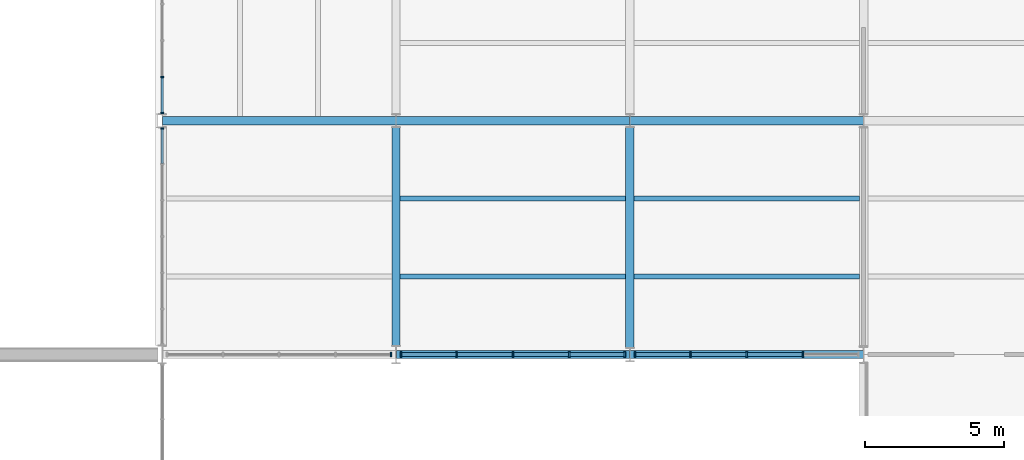
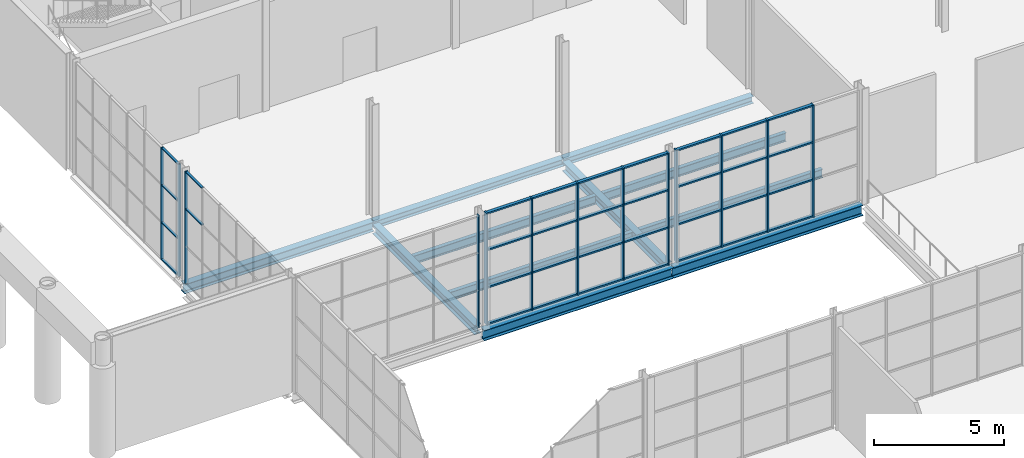
# One storey, part 18 of 64: 47 members, 11 beams, 5 elements without a shape of their own.
"""IFC4 building model written with IfcOpenShell, lengths in metres."""

from ifc_helpers import new_model, si_unit, direction, frame, origin, origin_2d, place, context, subcontext, project, spatial, rectangle, i_section, extrude, material, layer, layer_set, material_profile, profile_set, type_object, element, aggregate, save


model = new_model("IFC4")

# Units and contexts
model_context = context("Model", 3, precision=1e-05, world=origin(), true_north=direction((0.0, 1.0)))
body_context = subcontext(model_context, "Body", "Model", "MODEL_VIEW")
ifc_project = project(units=[si_unit("LENGTHUNIT", "METRE"), si_unit("AREAUNIT", "SQUARE_METRE"), si_unit("VOLUMEUNIT", "CUBIC_METRE"), si_unit("PLANEANGLEUNIT", "RADIAN"), si_unit("MASSUNIT", "GRAM", prefix="KILO")], contexts=[model_context])

# Site, building, storey
site_placement = place(None, origin())
site = spatial("IfcSite", under=ifc_project, at=site_placement, CompositionType="ELEMENT")
building_placement = place(site_placement, origin())
building = spatial("IfcBuilding", under=site, at=building_placement, Name="Galleria Vessillo Department Store", CompositionType="ELEMENT")
storey_placement = place(building_placement, frame((0.0, 0.0, 6.0)))
storey = spatial("IfcBuildingStorey", under=building, at=storey_placement, Name="L01", CompositionType="ELEMENT", Elevation=6.0)

# Curtain wall, member
ifc_material_1 = material(Name="Aluminium and glass curtain wall", Category="aluminium")
ifc_layer_1 = layer(ifc_material_1, 0.1201171875)
ifc_layer_set_1 = layer_set([ifc_layer_1], Name="Aluminium and glass curtain wall")
curtain_wall_type_1 = type_object("IfcCurtainWallType", Name="Shopfront curtain wall CW3 1400 module", PredefinedType="NOTDEFINED", material=ifc_layer_set_1)
curtain_wall_1_placement = place(storey_placement, origin())
curtain_wall_1 = element("IfcCurtainWall", 1, at=curtain_wall_1_placement, inside=storey, type_object=curtain_wall_type_1, Name="Shopfront curtain wall CW3 1400 module LB-N-L01-01", PredefinedType="NOTDEFINED")
ifc_material_2 = material(Name="Aluminium alloy 6063 T6", Category="aluminium")
ifc_material_profile_1 = material_profile(ifc_material_2, rectangle(XDim=0.1201171875, YDim=0.050048828125, at=origin_2d()), Name="AL 50x120")
ifc_profile_set_1 = profile_set([ifc_material_profile_1], Name="Aluminium alloy 6063 T6")
member_type_1 = type_object("IfcMemberType", Name="Aluminium mullion 50 x 120", PredefinedType="MULLION", material=ifc_profile_set_1)
member_1_placement = place(storey_placement, frame((8.39990234375, 45.925048828125, 0.0), z_axis=(0.0, 0.0, 1.0), x_axis=(-1.0, 0.0, 0.0)))
member_1 = element("IfcMember", 2, at=member_1_placement, type_object=member_type_1, Name="CW3 mullion 7", PredefinedType="MULLION", context=body_context, shape_type="SweptSolid", body=[
    extrude(rectangle(XDim=0.1201171875, YDim=0.050048828125, at=origin_2d()), origin(), (0.0, 0.0, 1.0), 5.25),
])

# Curtain wall, members
curtain_wall_2_placement = place(storey_placement, origin())
curtain_wall_2 = element("IfcCurtainWall", 3, at=curtain_wall_2_placement, inside=storey, type_object=curtain_wall_type_1, Name="Shopfront curtain wall CW3 1400 module LB-N-L01-02", PredefinedType="NOTDEFINED")
member_2_placement = place(storey_placement, frame((8.39990234375, 46.474853515625, 0.0), z_axis=(0.0, 0.0, 1.0), x_axis=(-1.0, 0.0, 0.0)))
member_2 = element("IfcMember", 4, at=member_2_placement, type_object=member_type_1, Name="CW3 mullion 1", PredefinedType="MULLION", context=body_context, shape_type="SweptSolid", body=[
    extrude(rectangle(XDim=0.1201171875, YDim=0.050048828125, at=origin_2d()), origin(), (0.0, 0.0, 1.0), 5.25),
])
member_3_placement = place(storey_placement, frame((8.39990234375, 47.7666015625, 0.0), z_axis=(0.0, 0.0, 1.0), x_axis=(-1.0, 0.0, 0.0)))
member_3 = element("IfcMember", 5, at=member_3_placement, type_object=member_type_1, Name="CW3 mullion 2", PredefinedType="MULLION", context=body_context, shape_type="SweptSolid", body=[
    extrude(rectangle(XDim=0.1201171875, YDim=0.050048828125, at=origin_2d()), origin(), (0.0, 0.0, 1.0), 5.25),
])

# Curtain wall, member
ifc_material_3 = material(Name="Aluminium and glass curtain wall", Category="aluminium")
ifc_layer_2 = layer(ifc_material_3, 0.159912109375)
ifc_layer_set_2 = layer_set([ifc_layer_2], Name="Aluminium and glass curtain wall")
curtain_wall_type_2 = type_object("IfcCurtainWallType", Name="Arcade portal glazing CW2 2100 module", PredefinedType="NOTDEFINED", material=ifc_layer_set_2)
curtain_wall_3_placement = place(storey_placement, origin())
curtain_wall_3 = element("IfcCurtainWall", 6, at=curtain_wall_3_placement, inside=storey, type_object=curtain_wall_type_2, Name="Arcade portal glazing CW2 2100 module PW-W-N-L01-01", PredefinedType="NOTDEFINED")
ifc_material_4 = material(Name="Aluminium alloy 6063 T6", Category="aluminium")
ifc_material_profile_2 = material_profile(ifc_material_4, rectangle(XDim=0.159912109375, YDim=0.050048828125, at=origin_2d()), Name="AL 50x160")
ifc_profile_set_2 = profile_set([ifc_material_profile_2], Name="Aluminium alloy 6063 T6")
member_type_2 = type_object("IfcMemberType", Name="Aluminium mullion 50 x 160", PredefinedType="MULLION", material=ifc_profile_set_2)
member_4_placement = place(storey_placement, frame((16.62255859375, 37.800048828125, 0.0), z_axis=(0.0, 0.0, 1.0), x_axis=(0.0, 1.0, 0.0)))
member_4 = element("IfcMember", 7, at=member_4_placement, type_object=member_type_2, Name="CW2 mullion 5", PredefinedType="MULLION", context=body_context, shape_type="SweptSolid", body=[
    extrude(rectangle(XDim=0.159912109375, YDim=0.050048828125, at=origin_2d()), origin(), (0.0, 0.0, 1.0), 5.25),
])
aggregate(curtain_wall_3, [member_4])

# Curtain wall, members
ifc_material_5 = material(Name="Aluminium and glass curtain wall", Category="aluminium")
ifc_layer_3 = layer(ifc_material_5, 0.199951171875)
ifc_layer_set_3 = layer_set([ifc_layer_3], Name="Aluminium and glass curtain wall")
curtain_wall_type_3 = type_object("IfcCurtainWallType", Name="Arcade curtain wall CW1 2100 module", PredefinedType="NOTDEFINED", material=ifc_layer_set_3)
curtain_wall_4_placement = place(storey_placement, origin())
curtain_wall_4 = element("IfcCurtainWall", 8, at=curtain_wall_4_placement, inside=storey, type_object=curtain_wall_type_3, Name="Arcade curtain wall CW1 2100 module AI-AW-N-L01-01", PredefinedType="NOTDEFINED")
ifc_material_6 = material(Name="Aluminium alloy 6063 T6", Category="aluminium")
ifc_material_profile_3 = material_profile(ifc_material_6, rectangle(XDim=0.199951171875, YDim=0.06005859375, at=origin_2d()), Name="AL 60x200")
ifc_profile_set_3 = profile_set([ifc_material_profile_3], Name="Aluminium alloy 6063 T6")
member_type_3 = type_object("IfcMemberType", Name="Aluminium mullion 60 x 200", PredefinedType="MULLION", material=ifc_profile_set_3)
member_5_placement = place(storey_placement, frame((16.982666015625, 37.800048828125, 0.0), z_axis=(0.0, 0.0, 1.0), x_axis=(0.0, 1.0, 0.0)))
member_5 = element("IfcMember", 9, at=member_5_placement, type_object=member_type_3, Name="CW1 mullion 1", PredefinedType="MULLION", context=body_context, shape_type="SweptSolid", body=[
    extrude(rectangle(XDim=0.199951171875, YDim=0.06005859375, at=origin_2d()), origin(), (0.0, 0.0, 1.0), 5.25),
])
member_6_placement = place(storey_placement, frame((18.97607421875, 37.800048828125, 0.0), z_axis=(0.0, 0.0, 1.0), x_axis=(0.0, 1.0, 0.0)))
member_6 = element("IfcMember", 10, at=member_6_placement, type_object=member_type_3, Name="CW1 mullion 2", PredefinedType="MULLION", context=body_context, shape_type="SweptSolid", body=[
    extrude(rectangle(XDim=0.199951171875, YDim=0.06005859375, at=origin_2d()), origin(), (0.0, 0.0, 1.0), 5.25),
])
member_7_placement = place(storey_placement, frame((20.999755859375, 37.800048828125, 0.0), z_axis=(0.0, 0.0, 1.0), x_axis=(0.0, 1.0, 0.0)))
member_7 = element("IfcMember", 11, at=member_7_placement, type_object=member_type_3, Name="CW1 mullion 3", PredefinedType="MULLION", context=body_context, shape_type="SweptSolid", body=[
    extrude(rectangle(XDim=0.199951171875, YDim=0.06005859375, at=origin_2d()), origin(), (0.0, 0.0, 1.0), 5.25),
])
member_8_placement = place(storey_placement, frame((23.0234375, 37.800048828125, 0.0), z_axis=(0.0, 0.0, 1.0), x_axis=(0.0, 1.0, 0.0)))
member_8 = element("IfcMember", 12, at=member_8_placement, type_object=member_type_3, Name="CW1 mullion 4", PredefinedType="MULLION", context=body_context, shape_type="SweptSolid", body=[
    extrude(rectangle(XDim=0.199951171875, YDim=0.06005859375, at=origin_2d()), origin(), (0.0, 0.0, 1.0), 5.25),
])
member_9_placement = place(storey_placement, frame((25.016845703125, 37.800048828125, 0.0), z_axis=(0.0, 0.0, 1.0), x_axis=(0.0, 1.0, 0.0)))
member_9 = element("IfcMember", 13, at=member_9_placement, type_object=member_type_3, Name="CW1 mullion 5", PredefinedType="MULLION", context=body_context, shape_type="SweptSolid", body=[
    extrude(rectangle(XDim=0.199951171875, YDim=0.06005859375, at=origin_2d()), origin(), (0.0, 0.0, 1.0), 5.25),
])

curtain_wall_5_placement = place(storey_placement, origin())
curtain_wall_5 = element("IfcCurtainWall", 14, at=curtain_wall_5_placement, inside=storey, type_object=curtain_wall_type_3, Name="Arcade curtain wall CW1 2100 module AI-AW-N-L01-02", PredefinedType="NOTDEFINED")
member_10_placement = place(storey_placement, frame((25.383056640625, 37.800048828125, 0.0), z_axis=(0.0, 0.0, 1.0), x_axis=(0.0, 1.0, 0.0)))
member_10 = element("IfcMember", 15, at=member_10_placement, type_object=member_type_3, Name="CW1 mullion 1", PredefinedType="MULLION", context=body_context, shape_type="SweptSolid", body=[
    extrude(rectangle(XDim=0.199951171875, YDim=0.06005859375, at=origin_2d()), origin(), (0.0, 0.0, 1.0), 5.25),
])
member_11_placement = place(storey_placement, frame((27.376708984375, 37.800048828125, 0.0), z_axis=(0.0, 0.0, 1.0), x_axis=(0.0, 1.0, 0.0)))
member_11 = element("IfcMember", 16, at=member_11_placement, type_object=member_type_3, Name="CW1 mullion 2", PredefinedType="MULLION", context=body_context, shape_type="SweptSolid", body=[
    extrude(rectangle(XDim=0.199951171875, YDim=0.06005859375, at=origin_2d()), origin(), (0.0, 0.0, 1.0), 5.25),
])
member_12_placement = place(storey_placement, frame((29.400390625, 37.800048828125, 0.0), z_axis=(0.0, 0.0, 1.0), x_axis=(0.0, 1.0, 0.0)))
member_12 = element("IfcMember", 17, at=member_12_placement, type_object=member_type_3, Name="CW1 mullion 3", PredefinedType="MULLION", context=body_context, shape_type="SweptSolid", body=[
    extrude(rectangle(XDim=0.199951171875, YDim=0.06005859375, at=origin_2d()), origin(), (0.0, 0.0, 1.0), 5.25),
])
member_13_placement = place(storey_placement, frame((31.423828125, 37.800048828125, 0.0), z_axis=(0.0, 0.0, 1.0), x_axis=(0.0, 1.0, 0.0)))
member_13 = element("IfcMember", 18, at=member_13_placement, type_object=member_type_3, Name="CW1 mullion 4", PredefinedType="MULLION", context=body_context, shape_type="SweptSolid", body=[
    extrude(rectangle(XDim=0.199951171875, YDim=0.06005859375, at=origin_2d()), origin(), (0.0, 0.0, 1.0), 5.25),
])

# Member
ifc_material_7 = material(Name="Aluminium alloy 6063 T6", Category="aluminium")
ifc_material_profile_4 = material_profile(ifc_material_7, rectangle(XDim=0.10009765625, YDim=0.050048828125, at=origin_2d()), Name="AL 50x100")
ifc_profile_set_4 = profile_set([ifc_material_profile_4], Name="Aluminium alloy 6063 T6")
member_type_4 = type_object("IfcMemberType", Name="Aluminium transom 50 x 100", PredefinedType="USERDEFINED", material=ifc_profile_set_4)
member_14_placement = place(storey_placement, frame((8.39990234375, 44.67236328125, 3.5), z_axis=(0.0, 1.0, 0.0), x_axis=(-1.0, 0.0, 0.0)))
member_14 = element("IfcMember", 19, at=member_14_placement, type_object=member_type_4, Name="CW3 transom 6.3", ObjectType="TRANSOM", PredefinedType="USERDEFINED", context=body_context, shape_type="SweptSolid", body=[
    extrude(rectangle(XDim=0.10009765625, YDim=0.050048828125, at=origin_2d()), origin(), (0.0, 0.0, 1.0), 1.2275390625),
])

member_15_placement = place(storey_placement, frame((8.39990234375, 44.67236328125, 5.22509765625), z_axis=(0.0, 1.0, 0.0), x_axis=(-1.0, 0.0, 0.0)))
member_15 = element("IfcMember", 20, at=member_15_placement, type_object=member_type_4, Name="CW3 transom 6.4", ObjectType="TRANSOM", PredefinedType="USERDEFINED", context=body_context, shape_type="SweptSolid", body=[
    extrude(rectangle(XDim=0.10009765625, YDim=0.050048828125, at=origin_2d()), origin(), (0.0, 0.0, 1.0), 1.2275390625),
])

aggregate(curtain_wall_1, [member_1, member_14, member_15])

member_16_placement = place(storey_placement, frame((8.39990234375, 46.5, 0.02490234375), z_axis=(0.0, 1.0, 0.0), x_axis=(-1.0, 0.0, 0.0)))
member_16 = element("IfcMember", 21, at=member_16_placement, type_object=member_type_4, Name="CW3 transom 1.1", ObjectType="TRANSOM", PredefinedType="USERDEFINED", context=body_context, shape_type="SweptSolid", body=[
    extrude(rectangle(XDim=0.10009765625, YDim=0.050048828125, at=origin_2d()), origin(), (0.0, 0.0, 1.0), 1.24169921875),
])

member_17_placement = place(storey_placement, frame((8.39990234375, 46.5, 1.75), z_axis=(0.0, 1.0, 0.0), x_axis=(-1.0, 0.0, 0.0)))
member_17 = element("IfcMember", 22, at=member_17_placement, type_object=member_type_4, Name="CW3 transom 1.2", ObjectType="TRANSOM", PredefinedType="USERDEFINED", context=body_context, shape_type="SweptSolid", body=[
    extrude(rectangle(XDim=0.10009765625, YDim=0.050048828125, at=origin_2d()), origin(), (0.0, 0.0, 1.0), 1.24169921875),
])

member_18_placement = place(storey_placement, frame((8.39990234375, 46.5, 3.5), z_axis=(0.0, 1.0, 0.0), x_axis=(-1.0, 0.0, 0.0)))
member_18 = element("IfcMember", 23, at=member_18_placement, type_object=member_type_4, Name="CW3 transom 1.3", ObjectType="TRANSOM", PredefinedType="USERDEFINED", context=body_context, shape_type="SweptSolid", body=[
    extrude(rectangle(XDim=0.10009765625, YDim=0.050048828125, at=origin_2d()), origin(), (0.0, 0.0, 1.0), 1.24169921875),
])

member_19_placement = place(storey_placement, frame((8.39990234375, 46.5, 5.22509765625), z_axis=(0.0, 1.0, 0.0), x_axis=(-1.0, 0.0, 0.0)))
member_19 = element("IfcMember", 24, at=member_19_placement, type_object=member_type_4, Name="CW3 transom 1.4", ObjectType="TRANSOM", PredefinedType="USERDEFINED", context=body_context, shape_type="SweptSolid", body=[
    extrude(rectangle(XDim=0.10009765625, YDim=0.050048828125, at=origin_2d()), origin(), (0.0, 0.0, 1.0), 1.24169921875),
])

aggregate(curtain_wall_2, [member_2, member_3, member_16, member_17, member_18, member_19])

ifc_material_8 = material(Name="Aluminium alloy 6063 T6", Category="aluminium")
ifc_material_profile_5 = material_profile(ifc_material_8, rectangle(XDim=0.139892578125, YDim=0.070068359375, at=origin_2d()), Name="AL 70x140")
ifc_profile_set_5 = profile_set([ifc_material_profile_5], Name="Aluminium alloy 6063 T6")
member_type_5 = type_object("IfcMemberType", Name="Aluminium transom 70 x 140", PredefinedType="USERDEFINED", material=ifc_profile_set_5)
member_20_placement = place(storey_placement, frame((17.0126953125, 37.800048828125, 0.034912109375), z_axis=(1.0, 0.0, 0.0), x_axis=(0.0, 1.0, 0.0)))
member_20 = element("IfcMember", 25, at=member_20_placement, type_object=member_type_5, Name="CW1 transom 1.1", ObjectType="TRANSOM", PredefinedType="USERDEFINED", context=body_context, shape_type="SweptSolid", body=[
    extrude(rectangle(XDim=0.139892578125, YDim=0.070068359375, at=origin_2d()), origin(), (0.0, 0.0, 1.0), 1.93359375),
])

member_21_placement = place(storey_placement, frame((17.0126953125, 37.800048828125, 1.75), z_axis=(1.0, 0.0, 0.0), x_axis=(0.0, 1.0, 0.0)))
member_21 = element("IfcMember", 26, at=member_21_placement, type_object=member_type_5, Name="CW1 transom 1.2", ObjectType="TRANSOM", PredefinedType="USERDEFINED", context=body_context, shape_type="SweptSolid", body=[
    extrude(rectangle(XDim=0.139892578125, YDim=0.070068359375, at=origin_2d()), origin(), (0.0, 0.0, 1.0), 1.93359375),
])

member_22_placement = place(storey_placement, frame((17.0126953125, 37.800048828125, 3.5), z_axis=(1.0, 0.0, 0.0), x_axis=(0.0, 1.0, 0.0)))
member_22 = element("IfcMember", 27, at=member_22_placement, type_object=member_type_5, Name="CW1 transom 1.3", ObjectType="TRANSOM", PredefinedType="USERDEFINED", context=body_context, shape_type="SweptSolid", body=[
    extrude(rectangle(XDim=0.139892578125, YDim=0.070068359375, at=origin_2d()), origin(), (0.0, 0.0, 1.0), 1.93359375),
])

member_23_placement = place(storey_placement, frame((17.0126953125, 37.800048828125, 5.215087890625), z_axis=(1.0, 0.0, 0.0), x_axis=(0.0, 1.0, 0.0)))
member_23 = element("IfcMember", 28, at=member_23_placement, type_object=member_type_5, Name="CW1 transom 1.4", ObjectType="TRANSOM", PredefinedType="USERDEFINED", context=body_context, shape_type="SweptSolid", body=[
    extrude(rectangle(XDim=0.139892578125, YDim=0.070068359375, at=origin_2d()), origin(), (0.0, 0.0, 1.0), 1.93359375),
])

member_24_placement = place(storey_placement, frame((19.006103515625, 37.800048828125, 0.034912109375), z_axis=(1.0, 0.0, 0.0), x_axis=(0.0, 1.0, 0.0)))
member_24 = element("IfcMember", 29, at=member_24_placement, type_object=member_type_5, Name="CW1 transom 2.1", ObjectType="TRANSOM", PredefinedType="USERDEFINED", context=body_context, shape_type="SweptSolid", body=[
    extrude(rectangle(XDim=0.139892578125, YDim=0.070068359375, at=origin_2d()), origin(), (0.0, 0.0, 1.0), 1.963623046875),
])

member_25_placement = place(storey_placement, frame((19.006103515625, 37.800048828125, 1.75), z_axis=(1.0, 0.0, 0.0), x_axis=(0.0, 1.0, 0.0)))
member_25 = element("IfcMember", 30, at=member_25_placement, type_object=member_type_5, Name="CW1 transom 2.2", ObjectType="TRANSOM", PredefinedType="USERDEFINED", context=body_context, shape_type="SweptSolid", body=[
    extrude(rectangle(XDim=0.139892578125, YDim=0.070068359375, at=origin_2d()), origin(), (0.0, 0.0, 1.0), 1.963623046875),
])

member_26_placement = place(storey_placement, frame((19.006103515625, 37.800048828125, 3.5), z_axis=(1.0, 0.0, 0.0), x_axis=(0.0, 1.0, 0.0)))
member_26 = element("IfcMember", 31, at=member_26_placement, type_object=member_type_5, Name="CW1 transom 2.3", ObjectType="TRANSOM", PredefinedType="USERDEFINED", context=body_context, shape_type="SweptSolid", body=[
    extrude(rectangle(XDim=0.139892578125, YDim=0.070068359375, at=origin_2d()), origin(), (0.0, 0.0, 1.0), 1.963623046875),
])

member_27_placement = place(storey_placement, frame((19.006103515625, 37.800048828125, 5.215087890625), z_axis=(1.0, 0.0, 0.0), x_axis=(0.0, 1.0, 0.0)))
member_27 = element("IfcMember", 32, at=member_27_placement, type_object=member_type_5, Name="CW1 transom 2.4", ObjectType="TRANSOM", PredefinedType="USERDEFINED", context=body_context, shape_type="SweptSolid", body=[
    extrude(rectangle(XDim=0.139892578125, YDim=0.070068359375, at=origin_2d()), origin(), (0.0, 0.0, 1.0), 1.963623046875),
])

member_28_placement = place(storey_placement, frame((21.02978515625, 37.800048828125, 0.034912109375), z_axis=(1.0, 0.0, 0.0), x_axis=(0.0, 1.0, 0.0)))
member_28 = element("IfcMember", 33, at=member_28_placement, type_object=member_type_5, Name="CW1 transom 3.1", ObjectType="TRANSOM", PredefinedType="USERDEFINED", context=body_context, shape_type="SweptSolid", body=[
    extrude(rectangle(XDim=0.139892578125, YDim=0.070068359375, at=origin_2d()), origin(), (0.0, 0.0, 1.0), 1.963623046875),
])

member_29_placement = place(storey_placement, frame((21.02978515625, 37.800048828125, 1.75), z_axis=(1.0, 0.0, 0.0), x_axis=(0.0, 1.0, 0.0)))
member_29 = element("IfcMember", 34, at=member_29_placement, type_object=member_type_5, Name="CW1 transom 3.2", ObjectType="TRANSOM", PredefinedType="USERDEFINED", context=body_context, shape_type="SweptSolid", body=[
    extrude(rectangle(XDim=0.139892578125, YDim=0.070068359375, at=origin_2d()), origin(), (0.0, 0.0, 1.0), 1.963623046875),
])

member_30_placement = place(storey_placement, frame((21.02978515625, 37.800048828125, 3.5), z_axis=(1.0, 0.0, 0.0), x_axis=(0.0, 1.0, 0.0)))
member_30 = element("IfcMember", 35, at=member_30_placement, type_object=member_type_5, Name="CW1 transom 3.3", ObjectType="TRANSOM", PredefinedType="USERDEFINED", context=body_context, shape_type="SweptSolid", body=[
    extrude(rectangle(XDim=0.139892578125, YDim=0.070068359375, at=origin_2d()), origin(), (0.0, 0.0, 1.0), 1.963623046875),
])

member_31_placement = place(storey_placement, frame((21.02978515625, 37.800048828125, 5.215087890625), z_axis=(1.0, 0.0, 0.0), x_axis=(0.0, 1.0, 0.0)))
member_31 = element("IfcMember", 36, at=member_31_placement, type_object=member_type_5, Name="CW1 transom 3.4", ObjectType="TRANSOM", PredefinedType="USERDEFINED", context=body_context, shape_type="SweptSolid", body=[
    extrude(rectangle(XDim=0.139892578125, YDim=0.070068359375, at=origin_2d()), origin(), (0.0, 0.0, 1.0), 1.963623046875),
])

member_32_placement = place(storey_placement, frame((23.05322265625, 37.800048828125, 0.034912109375), z_axis=(1.0, 0.0, 0.0), x_axis=(0.0, 1.0, 0.0)))
member_32 = element("IfcMember", 37, at=member_32_placement, type_object=member_type_5, Name="CW1 transom 4.1", ObjectType="TRANSOM", PredefinedType="USERDEFINED", context=body_context, shape_type="SweptSolid", body=[
    extrude(rectangle(XDim=0.139892578125, YDim=0.070068359375, at=origin_2d()), origin(), (0.0, 0.0, 1.0), 1.93359375),
])

member_33_placement = place(storey_placement, frame((23.05322265625, 37.800048828125, 1.75), z_axis=(1.0, 0.0, 0.0), x_axis=(0.0, 1.0, 0.0)))
member_33 = element("IfcMember", 38, at=member_33_placement, type_object=member_type_5, Name="CW1 transom 4.2", ObjectType="TRANSOM", PredefinedType="USERDEFINED", context=body_context, shape_type="SweptSolid", body=[
    extrude(rectangle(XDim=0.139892578125, YDim=0.070068359375, at=origin_2d()), origin(), (0.0, 0.0, 1.0), 1.93359375),
])

member_34_placement = place(storey_placement, frame((23.05322265625, 37.800048828125, 3.5), z_axis=(1.0, 0.0, 0.0), x_axis=(0.0, 1.0, 0.0)))
member_34 = element("IfcMember", 39, at=member_34_placement, type_object=member_type_5, Name="CW1 transom 4.3", ObjectType="TRANSOM", PredefinedType="USERDEFINED", context=body_context, shape_type="SweptSolid", body=[
    extrude(rectangle(XDim=0.139892578125, YDim=0.070068359375, at=origin_2d()), origin(), (0.0, 0.0, 1.0), 1.93359375),
])

member_35_placement = place(storey_placement, frame((23.05322265625, 37.800048828125, 5.215087890625), z_axis=(1.0, 0.0, 0.0), x_axis=(0.0, 1.0, 0.0)))
member_35 = element("IfcMember", 40, at=member_35_placement, type_object=member_type_5, Name="CW1 transom 4.4", ObjectType="TRANSOM", PredefinedType="USERDEFINED", context=body_context, shape_type="SweptSolid", body=[
    extrude(rectangle(XDim=0.139892578125, YDim=0.070068359375, at=origin_2d()), origin(), (0.0, 0.0, 1.0), 1.93359375),
])

aggregate(curtain_wall_4, [member_5, member_6, member_7, member_8, member_9, member_20, member_21, member_22, member_23, member_24, member_25, member_26, member_27, member_28, member_29, member_30, member_31, member_32, member_33, member_34, member_35])

member_36_placement = place(storey_placement, frame((25.4130859375, 37.800048828125, 0.034912109375), z_axis=(1.0, 0.0, 0.0), x_axis=(0.0, 1.0, 0.0)))
member_36 = element("IfcMember", 41, at=member_36_placement, type_object=member_type_5, Name="CW1 transom 1.1", ObjectType="TRANSOM", PredefinedType="USERDEFINED", context=body_context, shape_type="SweptSolid", body=[
    extrude(rectangle(XDim=0.139892578125, YDim=0.070068359375, at=origin_2d()), origin(), (0.0, 0.0, 1.0), 1.93359375),
])

member_37_placement = place(storey_placement, frame((25.4130859375, 37.800048828125, 1.75), z_axis=(1.0, 0.0, 0.0), x_axis=(0.0, 1.0, 0.0)))
member_37 = element("IfcMember", 42, at=member_37_placement, type_object=member_type_5, Name="CW1 transom 1.2", ObjectType="TRANSOM", PredefinedType="USERDEFINED", context=body_context, shape_type="SweptSolid", body=[
    extrude(rectangle(XDim=0.139892578125, YDim=0.070068359375, at=origin_2d()), origin(), (0.0, 0.0, 1.0), 1.93359375),
])

member_38_placement = place(storey_placement, frame((25.4130859375, 37.800048828125, 3.5), z_axis=(1.0, 0.0, 0.0), x_axis=(0.0, 1.0, 0.0)))
member_38 = element("IfcMember", 43, at=member_38_placement, type_object=member_type_5, Name="CW1 transom 1.3", ObjectType="TRANSOM", PredefinedType="USERDEFINED", context=body_context, shape_type="SweptSolid", body=[
    extrude(rectangle(XDim=0.139892578125, YDim=0.070068359375, at=origin_2d()), origin(), (0.0, 0.0, 1.0), 1.93359375),
])

member_39_placement = place(storey_placement, frame((25.4130859375, 37.800048828125, 5.215087890625), z_axis=(1.0, 0.0, 0.0), x_axis=(0.0, 1.0, 0.0)))
member_39 = element("IfcMember", 44, at=member_39_placement, type_object=member_type_5, Name="CW1 transom 1.4", ObjectType="TRANSOM", PredefinedType="USERDEFINED", context=body_context, shape_type="SweptSolid", body=[
    extrude(rectangle(XDim=0.139892578125, YDim=0.070068359375, at=origin_2d()), origin(), (0.0, 0.0, 1.0), 1.93359375),
])

member_40_placement = place(storey_placement, frame((27.40673828125, 37.800048828125, 0.034912109375), z_axis=(1.0, 0.0, 0.0), x_axis=(0.0, 1.0, 0.0)))
member_40 = element("IfcMember", 45, at=member_40_placement, type_object=member_type_5, Name="CW1 transom 2.1", ObjectType="TRANSOM", PredefinedType="USERDEFINED", context=body_context, shape_type="SweptSolid", body=[
    extrude(rectangle(XDim=0.139892578125, YDim=0.070068359375, at=origin_2d()), origin(), (0.0, 0.0, 1.0), 1.963623046875),
])

member_41_placement = place(storey_placement, frame((27.40673828125, 37.800048828125, 1.75), z_axis=(1.0, 0.0, 0.0), x_axis=(0.0, 1.0, 0.0)))
member_41 = element("IfcMember", 46, at=member_41_placement, type_object=member_type_5, Name="CW1 transom 2.2", ObjectType="TRANSOM", PredefinedType="USERDEFINED", context=body_context, shape_type="SweptSolid", body=[
    extrude(rectangle(XDim=0.139892578125, YDim=0.070068359375, at=origin_2d()), origin(), (0.0, 0.0, 1.0), 1.963623046875),
])

member_42_placement = place(storey_placement, frame((27.40673828125, 37.800048828125, 3.5), z_axis=(1.0, 0.0, 0.0), x_axis=(0.0, 1.0, 0.0)))
member_42 = element("IfcMember", 47, at=member_42_placement, type_object=member_type_5, Name="CW1 transom 2.3", ObjectType="TRANSOM", PredefinedType="USERDEFINED", context=body_context, shape_type="SweptSolid", body=[
    extrude(rectangle(XDim=0.139892578125, YDim=0.070068359375, at=origin_2d()), origin(), (0.0, 0.0, 1.0), 1.963623046875),
])

member_43_placement = place(storey_placement, frame((27.40673828125, 37.800048828125, 5.215087890625), z_axis=(1.0, 0.0, 0.0), x_axis=(0.0, 1.0, 0.0)))
member_43 = element("IfcMember", 48, at=member_43_placement, type_object=member_type_5, Name="CW1 transom 2.4", ObjectType="TRANSOM", PredefinedType="USERDEFINED", context=body_context, shape_type="SweptSolid", body=[
    extrude(rectangle(XDim=0.139892578125, YDim=0.070068359375, at=origin_2d()), origin(), (0.0, 0.0, 1.0), 1.963623046875),
])

member_44_placement = place(storey_placement, frame((29.43017578125, 37.800048828125, 0.034912109375), z_axis=(1.0, 0.0, 0.0), x_axis=(0.0, 1.0, 0.0)))
member_44 = element("IfcMember", 49, at=member_44_placement, type_object=member_type_5, Name="CW1 transom 3.1", ObjectType="TRANSOM", PredefinedType="USERDEFINED", context=body_context, shape_type="SweptSolid", body=[
    extrude(rectangle(XDim=0.139892578125, YDim=0.070068359375, at=origin_2d()), origin(), (0.0, 0.0, 1.0), 1.963623046875),
])

member_45_placement = place(storey_placement, frame((29.43017578125, 37.800048828125, 1.75), z_axis=(1.0, 0.0, 0.0), x_axis=(0.0, 1.0, 0.0)))
member_45 = element("IfcMember", 50, at=member_45_placement, type_object=member_type_5, Name="CW1 transom 3.2", ObjectType="TRANSOM", PredefinedType="USERDEFINED", context=body_context, shape_type="SweptSolid", body=[
    extrude(rectangle(XDim=0.139892578125, YDim=0.070068359375, at=origin_2d()), origin(), (0.0, 0.0, 1.0), 1.963623046875),
])

member_46_placement = place(storey_placement, frame((29.43017578125, 37.800048828125, 3.5), z_axis=(1.0, 0.0, 0.0), x_axis=(0.0, 1.0, 0.0)))
member_46 = element("IfcMember", 51, at=member_46_placement, type_object=member_type_5, Name="CW1 transom 3.3", ObjectType="TRANSOM", PredefinedType="USERDEFINED", context=body_context, shape_type="SweptSolid", body=[
    extrude(rectangle(XDim=0.139892578125, YDim=0.070068359375, at=origin_2d()), origin(), (0.0, 0.0, 1.0), 1.963623046875),
])

member_47_placement = place(storey_placement, frame((29.43017578125, 37.800048828125, 5.215087890625), z_axis=(1.0, 0.0, 0.0), x_axis=(0.0, 1.0, 0.0)))
member_47 = element("IfcMember", 52, at=member_47_placement, type_object=member_type_5, Name="CW1 transom 3.4", ObjectType="TRANSOM", PredefinedType="USERDEFINED", context=body_context, shape_type="SweptSolid", body=[
    extrude(rectangle(XDim=0.139892578125, YDim=0.070068359375, at=origin_2d()), origin(), (0.0, 0.0, 1.0), 1.963623046875),
])

aggregate(curtain_wall_5, [member_10, member_11, member_12, member_13, member_36, member_37, member_38, member_39, member_40, member_41, member_42, member_43, member_44, member_45, member_46, member_47])

# Beams
ifc_material_9 = material(Name="Steel S355 J2", Category="steel")
ifc_material_profile_6 = material_profile(ifc_material_9, i_section(OverallWidth=0.300048828125, OverallDepth=0.43994140625, WebThickness=0.011474609375, FlangeThickness=0.02099609375, FilletRadius=0.027099609375, at=origin_2d()), Name="HEA 450")
ifc_profile_set_6 = profile_set([ifc_material_profile_6], Name="Steel S355 J2")
beam_type_1 = type_object("IfcBeamType", Name="Floor girder HEA 450", PredefinedType="BEAM", material=ifc_profile_set_6)
beam_1_placement = place(storey_placement, frame((8.407470703125, 46.199951171875, -0.369873046875), z_axis=(1.0, 0.0, 0.0), x_axis=(0.0, 1.0, 0.0)))
element("IfcBeam", 53, at=beam_1_placement, inside=storey, type_object=beam_type_1, Name="S-BM-L01-GI-x46200-8407", PredefinedType="BEAM", context=body_context, shape_type="SweptSolid", body=[
    extrude(i_section(OverallWidth=0.300048828125, OverallDepth=0.43994140625, WebThickness=0.011474609375, FlangeThickness=0.02099609375, FilletRadius=0.027099609375, at=origin_2d()), origin(), (0.0, 0.0, 1.0), 8.38525390625),
])
beam_2_placement = place(storey_placement, frame((16.800048828125, 38.134033203125, -0.369873046875), z_axis=(0.0, 1.0, 0.0), x_axis=(-1.0, 0.0, 0.0)))
element("IfcBeam", 54, at=beam_2_placement, inside=storey, type_object=beam_type_1, Name="S-BM-L01-GI-y16800-38134", PredefinedType="BEAM", context=body_context, shape_type="SweptSolid", body=[
    extrude(i_section(OverallWidth=0.300048828125, OverallDepth=0.43994140625, WebThickness=0.011474609375, FlangeThickness=0.02099609375, FilletRadius=0.027099609375, at=origin_2d()), origin(), (0.0, 0.0, 1.0), 7.81591796875),
])
beam_3_placement = place(storey_placement, frame((25.199951171875, 38.06201171875, -0.369873046875), z_axis=(0.0, 1.0, 0.0), x_axis=(-1.0, 0.0, 0.0)))
element("IfcBeam", 55, at=beam_3_placement, inside=storey, type_object=beam_type_1, Name="S-BM-L01-GI-y25200-38062", PredefinedType="BEAM", context=body_context, shape_type="SweptSolid", body=[
    extrude(i_section(OverallWidth=0.300048828125, OverallDepth=0.43994140625, WebThickness=0.011474609375, FlangeThickness=0.02099609375, FilletRadius=0.027099609375, at=origin_2d()), origin(), (0.0, 0.0, 1.0), 7.887939453125),
])
ifc_material_10 = material(Name="Steel S355 J2", Category="steel")
ifc_material_profile_7 = material_profile(ifc_material_10, i_section(OverallWidth=0.179931640625, OverallDepth=0.39990234375, WebThickness=0.008544921875, FlangeThickness=0.013427734375, FilletRadius=0.02099609375, at=origin_2d()), Name="IPE 400")
ifc_profile_set_7 = profile_set([ifc_material_profile_7], Name="Steel S355 J2")
beam_type_2 = type_object("IfcBeamType", Name="Floor joist IPE 400", PredefinedType="JOIST", material=ifc_profile_set_7)
for number, where, z_axis, x_axis, name in (
    (56, (16.9501953125, 40.60009765625, -0.349853515625), (1.0, 0.0, 0.0), (0.0, 1.0, 0.0), "S-BM-L01-JO-x40600-16950"),
    (57, (16.9501953125, 43.39990234375, -0.349853515625), (1.0, 0.0, 0.0), (0.0, 1.0, 0.0), "S-BM-L01-JO-x43400-16950"),
):
    element("IfcBeam", number, at=place(storey_placement, frame(where, z_axis=z_axis, x_axis=x_axis)), inside=storey, type_object=beam_type_2, Name=name, PredefinedType="JOIST", context=body_context, shape_type="SweptSolid", body=[
        extrude(i_section(OverallWidth=0.179931640625, OverallDepth=0.39990234375, WebThickness=0.008544921875, FlangeThickness=0.013427734375, FilletRadius=0.02099609375, at=origin_2d()), origin(), (0.0, 0.0, 1.0), 8.099609375),
    ])
for number, where, z_axis, x_axis, name in (
    (58, (25.35009765625, 40.60009765625, -0.349853515625), (1.0, 0.0, 0.0), (0.0, 1.0, 0.0), "S-BM-L01-JO-x40600-25350"),
    (59, (25.35009765625, 43.39990234375, -0.349853515625), (1.0, 0.0, 0.0), (0.0, 1.0, 0.0), "S-BM-L01-JO-x43400-25350"),
):
    element("IfcBeam", number, at=place(storey_placement, frame(where, z_axis=z_axis, x_axis=x_axis)), inside=storey, type_object=beam_type_2, Name=name, PredefinedType="JOIST", context=body_context, shape_type="SweptSolid", body=[
        extrude(i_section(OverallWidth=0.179931640625, OverallDepth=0.39990234375, WebThickness=0.008544921875, FlangeThickness=0.013427734375, FilletRadius=0.02099609375, at=origin_2d()), origin(), (0.0, 0.0, 1.0), 8.099853515625),
    ])
ifc_material_11 = material(Name="Steel S355 J2", Category="steel")
ifc_material_profile_8 = material_profile(ifc_material_11, i_section(OverallWidth=0.300048828125, OverallDepth=0.330078125, WebThickness=0.009521484375, FlangeThickness=0.0166015625, FilletRadius=0.027099609375, at=origin_2d()), Name="HEA 340")
ifc_profile_set_8 = profile_set([ifc_material_profile_8], Name="Steel S355 J2")
beam_type_3 = type_object("IfcBeamType", Name="Floor tie girder HEA 340", PredefinedType="BEAM", material=ifc_profile_set_8)
for number, where, z_axis, x_axis, name in (
    (60, (16.807373046875, 46.199951171875, -0.31494140625), (1.0, 0.0, 0.0), (0.0, 1.0, 0.0), "S-BM-L01-TI-x46200-16807"),
    (61, (25.207275390625, 46.199951171875, -0.31494140625), (1.0, 0.0, 0.0), (0.0, 1.0, 0.0), "S-BM-L01-TI-x46200-25207"),
):
    element("IfcBeam", number, at=place(storey_placement, frame(where, z_axis=z_axis, x_axis=x_axis)), inside=storey, type_object=beam_type_3, Name=name, PredefinedType="BEAM", context=body_context, shape_type="SweptSolid", body=[
        extrude(i_section(OverallWidth=0.300048828125, OverallDepth=0.330078125, WebThickness=0.009521484375, FlangeThickness=0.0166015625, FilletRadius=0.027099609375, at=origin_2d()), origin(), (0.0, 0.0, 1.0), 8.38525390625),
    ])
ifc_material_12 = material(Name="Steel S355 J2", Category="steel")
ifc_material_profile_9 = material_profile(ifc_material_12, i_section(OverallWidth=0.300048828125, OverallDepth=0.489990234375, WebThickness=0.011962890625, FlangeThickness=0.02294921875, FilletRadius=0.027099609375, at=origin_2d()), Name="HEA 500")
ifc_profile_set_9 = profile_set([ifc_material_profile_9], Name="Steel S355 J2")
beam_type_4 = type_object("IfcBeamType", Name="Trimmer beam HEA 500", PredefinedType="BEAM", material=ifc_profile_set_9)
beam_4_placement = place(storey_placement, frame((16.810546875, 37.800048828125, -0.39501953125), z_axis=(1.0, 0.0, 0.0), x_axis=(0.0, 1.0, 0.0)))
element("IfcBeam", 62, at=beam_4_placement, inside=storey, type_object=beam_type_4, Name="S-BM-L01-TR-x37800-16811", PredefinedType="BEAM", context=body_context, shape_type="SweptSolid", body=[
    extrude(i_section(OverallWidth=0.300048828125, OverallDepth=0.489990234375, WebThickness=0.011962890625, FlangeThickness=0.02294921875, FilletRadius=0.027099609375, at=origin_2d()), origin(), (0.0, 0.0, 1.0), 8.37890625),
])
beam_5_placement = place(storey_placement, frame((25.210693359375, 37.800048828125, -0.39501953125), z_axis=(1.0, 0.0, 0.0), x_axis=(0.0, 1.0, 0.0)))
element("IfcBeam", 63, at=beam_5_placement, inside=storey, type_object=beam_type_4, Name="S-BM-L01-TR-x37800-25211", PredefinedType="BEAM", context=body_context, shape_type="SweptSolid", body=[
    extrude(i_section(OverallWidth=0.300048828125, OverallDepth=0.489990234375, WebThickness=0.011962890625, FlangeThickness=0.02294921875, FilletRadius=0.027099609375, at=origin_2d()), origin(), (0.0, 0.0, 1.0), 8.378662109375),
])

save(model, "model.ifc")
